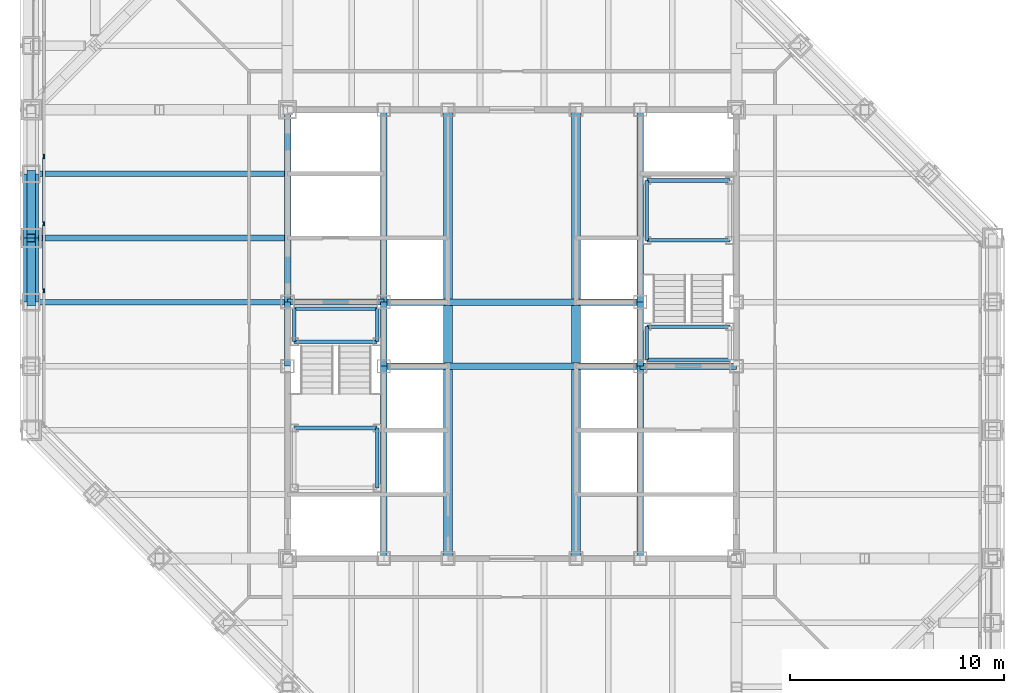
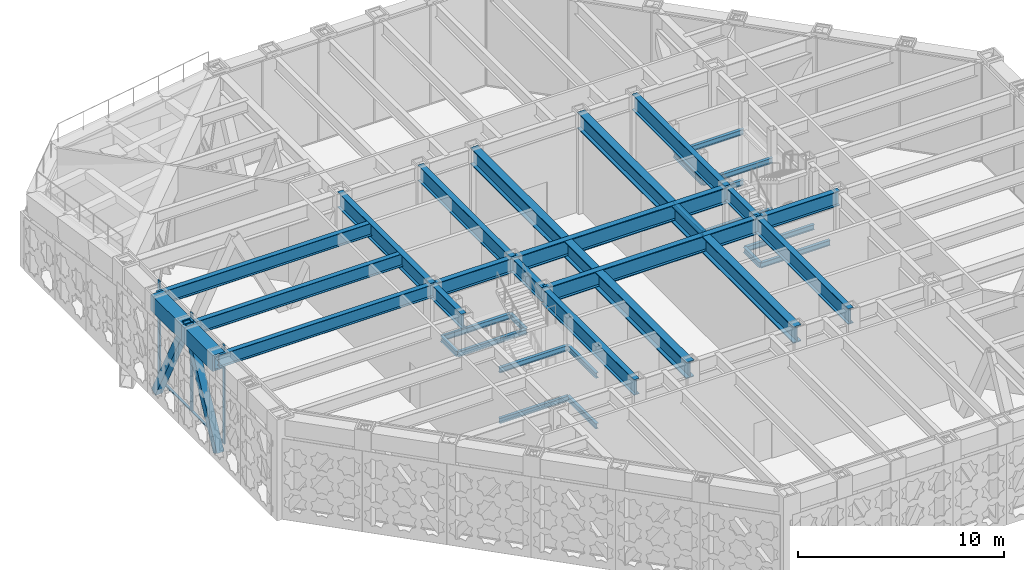
# One storey, part 5 of 28: 40 beams, 7 members, 1 element without a shape of its own.
"""IFC4 building model written with IfcOpenShell, lengths in metres."""

import ifcopenshell
import ifcopenshell.guid

model = None  # the IFC model being written
_history = None  # IfcOwnerHistory: only IFC2X3 demands one
_inside = {}  # id of a spatial element -> (the spatial element, [elements in it])
_under = {}  # id of a project, library or spatial element -> (it, [spatial elements below it])
_declared = {}  # id of a project -> (the project, [libraries it declares])
_typed = {}  # id of a type object -> (the type object, [elements of that type])
_made_of = {}  # id of a material, layer set ... -> (it, [elements and type objects made of it])


def new_model(schema):
    """Start an empty IFC model of exactly this schema.

    Asked for "IFC4X3", IfcOpenShell would pick the latest addendum, in which some entities
    have other attributes; the version numbers below select the first issue.
    IFC2X3 requires an IfcOwnerHistory on every rooted entity: one is made here for all.
    """
    global model, _history
    if schema == "IFC4X3":
        model = ifcopenshell.file(schema_version=(4, 3, 0, 0))
    else:
        model = ifcopenshell.file(schema=schema)
    _inside.clear()
    _under.clear()
    _declared.clear()
    _typed.clear()
    _made_of.clear()
    _history = None
    if model.schema == "IFC2X3":
        org = make("IfcOrganization", Name="unknown")
        user = make(
            "IfcPersonAndOrganization",
            ThePerson=make("IfcPerson", FamilyName="unknown"),
            TheOrganization=org,
        )
        app = make(
            "IfcApplication",
            ApplicationDeveloper=org,
            Version="unknown",
            ApplicationFullName="unknown",
            ApplicationIdentifier="unknown",
        )
        _history = make(
            "IfcOwnerHistory",
            OwningUser=user,
            OwningApplication=app,
            ChangeAction="ADDED",
            CreationDate=0,
        )
    return model


def make(cls, **values):
    """One entity of the class cls with the attributes given. An attribute that is None is left unset."""
    return model.create_entity(
        cls, **{name: value for name, value in values.items() if value is not None}
    )


def rooted(cls, **values):
    """An entity with a GlobalId (a new one), such as an element, a storey or a relation."""
    return make(cls, GlobalId=ifcopenshell.guid.new(), OwnerHistory=_history, **values)


def si_unit(unit_type, name, prefix=None):
    """IfcSIUnit, for example si_unit("LENGTHUNIT", "METRE", prefix="MILLI")."""
    return make("IfcSIUnit", UnitType=unit_type, Prefix=prefix, Name=name)


def assignment(units):
    """IfcUnitAssignment: the units of a project."""
    return None if units is None else make("IfcUnitAssignment", Units=units)


def point(xyz):
    """IfcCartesianPoint."""
    return None if xyz is None else make("IfcCartesianPoint", Coordinates=xyz)


def direction(xyz):
    """IfcDirection."""
    return None if xyz is None else make("IfcDirection", DirectionRatios=xyz)


def frame(location, z_axis=None, x_axis=None):
    """IfcAxis2Placement3D, a coordinate frame: its origin and axes. An axis left out is left unset."""
    return make(
        "IfcAxis2Placement3D",
        Location=point(location),
        Axis=direction(z_axis),
        RefDirection=direction(x_axis),
    )


def frame_2d(location, x_axis=None):
    """IfcAxis2Placement2D, a coordinate frame in the plane: its origin and x axis."""
    return make(
        "IfcAxis2Placement2D", Location=point(location), RefDirection=direction(x_axis)
    )


def origin():
    """The frame at (0, 0, 0) with its axes left unset."""
    return frame((0.0, 0.0, 0.0))


def origin_2d():
    """The frame at (0, 0) in the plane with its x axis left unset."""
    return frame_2d((0.0, 0.0))


def place(relative_to, where):
    """IfcLocalPlacement: puts the frame where relative to a parent placement (None: the world)."""
    return make(
        "IfcLocalPlacement", PlacementRelTo=relative_to, RelativePlacement=where
    )


def context(
    kind, dimensions, precision=None, world=None, true_north=None, identifier=None
):
    """IfcGeometricRepresentationContext, for example the 3D "Model" context."""
    return make(
        "IfcGeometricRepresentationContext",
        ContextIdentifier=identifier,
        ContextType=kind,
        CoordinateSpaceDimension=dimensions,
        Precision=precision,
        WorldCoordinateSystem=world,
        TrueNorth=true_north,
    )


def subcontext(parent, identifier, kind, view, scale=None):
    """IfcGeometricRepresentationSubContext, for example "Body" below "Model"."""
    return make(
        "IfcGeometricRepresentationSubContext",
        ContextIdentifier=identifier,
        ContextType=kind,
        ParentContext=parent,
        TargetScale=scale,
        TargetView=view,
    )


def project(units=None, contexts=None):
    """IfcProject with its units and contexts."""
    return rooted(
        "IfcProject",
        Name="project",
        RepresentationContexts=contexts,
        UnitsInContext=assignment(units),
    )


def spatial(cls, under=None, at=None, **own):
    """A site, building, storey or space (cls), placed at a placement, below another one or the project."""
    s = rooted(cls, ObjectPlacement=at, **own)
    if under is not None:
        _under.setdefault(under.id(), (under, []))[1].append(s)
    return s


def profile(cls, at=None, kind="AREA", **sizes):
    """A parametric profile (cls). Its sizes go by their IFC names, for example OverallWidth=200.0."""
    return make(cls, ProfileType=kind, Position=at, **sizes)


def rectangle(**sizes):
    """IfcRectangleProfileDef."""
    return profile("IfcRectangleProfileDef", **sizes)


def hollow_rectangle(**sizes):
    """IfcRectangleHollowProfileDef."""
    return profile("IfcRectangleHollowProfileDef", **sizes)


def i_section(**sizes):
    """IfcIShapeProfileDef."""
    return profile("IfcIShapeProfileDef", **sizes)


def extrude(swept, where, along, depth):
    """IfcExtrudedAreaSolid: the profile swept, set in the frame where, extruded along a direction by depth."""
    return make(
        "IfcExtrudedAreaSolid",
        SweptArea=swept,
        Position=where,
        ExtrudedDirection=direction(along),
        Depth=depth,
    )


def shape(context_of_items, identifier, shape_type, items):
    """IfcShapeRepresentation: the items that make up one representation, for example the "Body"."""
    return make(
        "IfcShapeRepresentation",
        ContextOfItems=context_of_items,
        RepresentationIdentifier=identifier,
        RepresentationType=shape_type,
        Items=items,
    )


def material(Name=None, Category=None):
    """IfcMaterial."""
    return make("IfcMaterial", Name=Name, Category=Category)


def layer(
    of_material, thickness, ventilated=None, Name=None, Category=None, Priority=None
):
    """IfcMaterialLayer: one layer of a wall or slab, of a material (None: an air gap)."""
    return make(
        "IfcMaterialLayer",
        Material=of_material,
        LayerThickness=thickness,
        IsVentilated=ventilated,
        Name=Name,
        Category=Category,
        Priority=Priority,
    )


def layer_set(layers, Name=None):
    """IfcMaterialLayerSet."""
    return make("IfcMaterialLayerSet", MaterialLayers=layers, LayerSetName=Name)


def material_profile(
    of_material, cross_section, Name=None, Category=None, Priority=None
):
    """IfcMaterialProfile: a cross section and its material."""
    return make(
        "IfcMaterialProfile",
        Name=Name,
        Material=of_material,
        Profile=cross_section,
        Priority=Priority,
        Category=Category,
    )


def profile_set(profiles, Name=None, composite=None):
    """IfcMaterialProfileSet."""
    return make(
        "IfcMaterialProfileSet",
        Name=Name,
        MaterialProfiles=profiles,
        CompositeProfile=composite,
    )


def made_of(thing, what):
    """Note that an element or type object is made of a material, layer set ...; save() writes the relation."""
    if what is not None:
        _made_of.setdefault(what.id(), (what, []))[1].append(thing)
    return thing


def type_object(cls, material=None, **own):
    """A type object (cls), such as IfcWallType, which elements share."""
    return made_of(rooted(cls, **own), material)


def element(
    cls,
    number,
    at=None,
    inside=None,
    cuts=None,
    type_object=None,
    material=None,
    context=None,
    identifier="Body",
    shape_type=None,
    held_by="IfcProductDefinitionShape",
    body=None,
    shapes=None,
    **own,
):
    """One element of the class cls, such as IfcWall. Its Tag is "e" and its number.

    at: its placement. inside: the storey or other place that contains it. cuts: it is an
    opening in that element (IfcRelVoidsElement). A single representation is given by context,
    identifier, shape_type and body (its items); several are given by shapes. held_by: the class
    of the entity that holds the representations. save() writes the other relations.
    """
    e = rooted(cls, Tag="e%d" % number, ObjectPlacement=at, **own)
    if body is not None:
        shapes = [shape(context, identifier, shape_type, body)]
    if shapes is not None:
        e.Representation = make(held_by, Representations=shapes)
    if inside is not None:
        _inside.setdefault(inside.id(), (inside, []))[1].append(e)
    if cuts is not None:
        rooted(
            "IfcRelVoidsElement", RelatingBuildingElement=cuts, RelatedOpeningElement=e
        )
    if type_object is not None:
        _typed.setdefault(type_object.id(), (type_object, []))[1].append(e)
    return made_of(e, material)


def aggregate(whole, parts):
    """IfcRelAggregates: a whole, such as a stair, and the parts it consists of."""
    return rooted("IfcRelAggregates", RelatingObject=whole, RelatedObjects=parts)


def save(model, path):
    """Write the relations noted so far, then the file.

    IfcRelAggregates (storeys below a building ...), IfcRelContainedInSpatialStructure (elements
    in a storey), IfcRelDefinesByType, IfcRelAssociatesMaterial and IfcRelDeclares: one each for
    every whole, place, type object, material and project.
    """
    for whole, parts in _under.values():
        aggregate(whole, parts)
    for where, things in _inside.values():
        rooted(
            "IfcRelContainedInSpatialStructure",
            RelatedElements=things,
            RelatingStructure=where,
        )
    for kind, things in _typed.values():
        rooted("IfcRelDefinesByType", RelatedObjects=things, RelatingType=kind)
    for what, things in _made_of.values():
        rooted("IfcRelAssociatesMaterial", RelatedObjects=things, RelatingMaterial=what)
    for by, libraries in _declared.values():
        rooted("IfcRelDeclares", RelatingContext=by, RelatedDefinitions=libraries)
    model.write(path)


model = new_model("IFC4")

# Units and contexts
model_context = context("Model", 3, precision=1e-05, world=origin(), true_north=direction((0.0, 1.0)))
body_context = subcontext(model_context, "Body", "Model", "MODEL_VIEW")
ifc_project = project(units=[si_unit("LENGTHUNIT", "METRE"), si_unit("AREAUNIT", "SQUARE_METRE"), si_unit("VOLUMEUNIT", "CUBIC_METRE"), si_unit("PLANEANGLEUNIT", "RADIAN"), si_unit("MASSUNIT", "GRAM", prefix="KILO")], contexts=[model_context])

# Site, building, storey
site_placement = place(None, origin())
site = spatial("IfcSite", under=ifc_project, at=site_placement, CompositionType="ELEMENT")
building_placement = place(site_placement, origin())
building = spatial("IfcBuilding", under=site, at=building_placement, Name="Chuquiago Exchange Tower", CompositionType="ELEMENT")
storey_placement = place(building_placement, frame((0.0, 0.0, 174.0)))
storey = spatial("IfcBuildingStorey", under=building, at=storey_placement, Name="L38", CompositionType="ELEMENT", Elevation=174.0)

# Beams
ifc_material_1 = material(Name="Steel ASTM A992", Category="steel")
ifc_material_profile_1 = material_profile(ifc_material_1, i_section(OverallWidth=0.307373046875, OverallDepth=0.927001953125, WebThickness=0.01953125, FlangeThickness=0.031982421875, at=origin_2d()), Name="W36X194")
ifc_profile_set_1 = profile_set([ifc_material_profile_1], Name="Steel ASTM A992")
beam_type_1 = type_object("IfcBeamType", Name="B10 W36X194", PredefinedType="BEAM", material=ifc_profile_set_1)
for number, where, z_axis, x_axis, name in (
    (1, (12.0, 24.0, 5.37646484375), (0.0, 1.0, 0.0), (-1.0, 0.0, 0.0), "CB-L39-12_24-12_33"),
    (2, (16.5, 12.0, 5.37646484375), (0.0, 1.0, 0.0), (-1.0, 0.0, 0.0), "CB-L39-16.5_12-16.5_21"),
    (3, (16.5, 24.0, 5.37646484375), (0.0, 1.0, 0.0), (-1.0, 0.0, 0.0), "CB-L39-16.5_24-16.5_33"),
    (4, (28.5, 12.0, 5.37646484375), (0.0, 1.0, 0.0), (-1.0, 0.0, 0.0), "CB-L39-28.5_12-28.5_21"),
    (5, (28.5, 24.0, 5.37646484375), (0.0, 1.0, 0.0), (-1.0, 0.0, 0.0), "CB-L39-28.5_24-28.5_33"),
):
    element("IfcBeam", number, at=place(storey_placement, frame(where, z_axis=z_axis, x_axis=x_axis)), inside=storey, type_object=beam_type_1, Name=name, PredefinedType="BEAM", context=body_context, shape_type="SweptSolid", body=[
        extrude(i_section(OverallWidth=0.307373046875, OverallDepth=0.927001953125, WebThickness=0.01953125, FlangeThickness=0.031982421875, at=origin_2d()), origin(), (0.0, 0.0, 1.0), 9.0),
    ])
ifc_material_2 = material(Name="Steel ASTM A992", Category="steel")
ifc_material_profile_2 = material_profile(ifc_material_2, i_section(OverallWidth=0.309814453125, OverallDepth=0.949951171875, WebThickness=0.0244140625, FlangeThickness=0.0439453125, at=origin_2d()), Name="W36X256")
ifc_profile_set_2 = profile_set([ifc_material_profile_2], Name="Steel ASTM A992")
beam_type_2 = type_object("IfcBeamType", Name="B11 W36X256", PredefinedType="BEAM", material=ifc_profile_set_2)
for number, where, z_axis, x_axis, name in (
    (6, (16.5, 21.0, 5.364990234375), (1.0, 0.0, 0.0), (0.0, 1.0, 0.0), "CB-L39-16.5_21-28.5_21"),
    (7, (16.5, 24.0, 5.364990234375), (1.0, 0.0, 0.0), (0.0, 1.0, 0.0), "CB-L39-16.5_24-28.5_24"),
):
    element("IfcBeam", number, at=place(storey_placement, frame(where, z_axis=z_axis, x_axis=x_axis)), inside=storey, type_object=beam_type_2, Name=name, PredefinedType="BEAM", context=body_context, shape_type="SweptSolid", body=[
        extrude(i_section(OverallWidth=0.309814453125, OverallDepth=0.949951171875, WebThickness=0.0244140625, FlangeThickness=0.0439453125, at=origin_2d()), origin(), (0.0, 0.0, 1.0), 12.0),
    ])
ifc_material_3 = material(Name="Steel ASTM A992", Category="steel")
ifc_material_profile_3 = material_profile(ifc_material_3, i_section(OverallWidth=0.4267578125, OverallDepth=0.975341796875, WebThickness=0.031005859375, FlangeThickness=0.055908203125, at=origin_2d()), Name="W36X395")
ifc_profile_set_3 = profile_set([ifc_material_profile_3], Name="Steel ASTM A992")
beam_type_3 = type_object("IfcBeamType", Name="B12 W36X395", PredefinedType="BEAM", material=ifc_profile_set_3)
beam_1_placement = place(storey_placement, frame((19.5, 12.0, 5.352294921875), z_axis=(0.0, 1.0, 0.0), x_axis=(-1.0, 0.0, 0.0)))
element("IfcBeam", 8, at=beam_1_placement, inside=storey, type_object=beam_type_3, Name="CB-L39-19.5_12-19.5_20.8451", PredefinedType="BEAM", context=body_context, shape_type="SweptSolid", body=[
    extrude(i_section(OverallWidth=0.4267578125, OverallDepth=0.975341796875, WebThickness=0.031005859375, FlangeThickness=0.055908203125, at=origin_2d()), origin(), (0.0, 0.0, 1.0), 8.84521484375),
])
beam_2_placement = place(storey_placement, frame((19.5, 21.15478515625, 5.352294921875), z_axis=(0.0, 1.0, 0.0), x_axis=(-1.0, 0.0, 0.0)))
element("IfcBeam", 9, at=beam_2_placement, inside=storey, type_object=beam_type_3, Name="CB-L39-19.5_21.1549-19.5_23.8451", PredefinedType="BEAM", context=body_context, shape_type="SweptSolid", body=[
    extrude(i_section(OverallWidth=0.4267578125, OverallDepth=0.975341796875, WebThickness=0.031005859375, FlangeThickness=0.055908203125, at=origin_2d()), origin(), (0.0, 0.0, 1.0), 2.6904296875),
])
for number, where, z_axis, x_axis, name in (
    (10, (19.5, 24.15478515625, 5.352294921875), (0.0, 1.0, 0.0), (-1.0, 0.0, 0.0), "CB-L39-19.5_24.1549-19.5_33"),
    (11, (25.5, 12.0, 5.352294921875), (0.0, 1.0, 0.0), (-1.0, 0.0, 0.0), "CB-L39-25.5_12-25.5_20.8451"),
):
    element("IfcBeam", number, at=place(storey_placement, frame(where, z_axis=z_axis, x_axis=x_axis)), inside=storey, type_object=beam_type_3, Name=name, PredefinedType="BEAM", context=body_context, shape_type="SweptSolid", body=[
        extrude(i_section(OverallWidth=0.4267578125, OverallDepth=0.975341796875, WebThickness=0.031005859375, FlangeThickness=0.055908203125, at=origin_2d()), origin(), (0.0, 0.0, 1.0), 8.84521484375),
    ])
beam_3_placement = place(storey_placement, frame((25.5, 21.15478515625, 5.352294921875), z_axis=(0.0, 1.0, 0.0), x_axis=(-1.0, 0.0, 0.0)))
element("IfcBeam", 12, at=beam_3_placement, inside=storey, type_object=beam_type_3, Name="CB-L39-25.5_21.1549-25.5_23.8451", PredefinedType="BEAM", context=body_context, shape_type="SweptSolid", body=[
    extrude(i_section(OverallWidth=0.4267578125, OverallDepth=0.975341796875, WebThickness=0.031005859375, FlangeThickness=0.055908203125, at=origin_2d()), origin(), (0.0, 0.0, 1.0), 2.6904296875),
])
beam_4_placement = place(storey_placement, frame((25.5, 24.15478515625, 5.352294921875), z_axis=(0.0, 1.0, 0.0), x_axis=(-1.0, 0.0, 0.0)))
element("IfcBeam", 13, at=beam_4_placement, inside=storey, type_object=beam_type_3, Name="CB-L39-25.5_24.1549-25.5_33", PredefinedType="BEAM", context=body_context, shape_type="SweptSolid", body=[
    extrude(i_section(OverallWidth=0.4267578125, OverallDepth=0.975341796875, WebThickness=0.031005859375, FlangeThickness=0.055908203125, at=origin_2d()), origin(), (0.0, 0.0, 1.0), 8.84521484375),
])
ifc_material_4 = material(Name="Steel ASTM A992", Category="steel")
ifc_material_profile_4 = material_profile(ifc_material_4, i_section(OverallWidth=0.2919921875, OverallDepth=0.8583984375, WebThickness=0.01708984375, FlangeThickness=0.031005859375, at=origin_2d()), Name="W33X169")
ifc_profile_set_4 = profile_set([ifc_material_profile_4], Name="Steel ASTM A992")
beam_type_4 = type_object("IfcBeamType", Name="B3 W33X169", PredefinedType="BEAM", material=ifc_profile_set_4)
for number, where, z_axis, x_axis, name in (
    (14, (12.0, 21.0, 5.41064453125), (0.0, 1.0, 0.0), (-1.0, 0.0, 0.0), "CB-L39-12_21-12_24"),
    (15, (16.5, 21.0, 5.41064453125), (0.0, 1.0, 0.0), (-1.0, 0.0, 0.0), "CB-L39-16.5_21-16.5_24"),
    (16, (28.5, 21.0, 5.41064453125), (0.0, 1.0, 0.0), (-1.0, 0.0, 0.0), "CB-L39-28.5_21-28.5_24"),
):
    element("IfcBeam", number, at=place(storey_placement, frame(where, z_axis=z_axis, x_axis=x_axis)), inside=storey, type_object=beam_type_4, Name=name, PredefinedType="BEAM", context=body_context, shape_type="SweptSolid", body=[
        extrude(i_section(OverallWidth=0.2919921875, OverallDepth=0.8583984375, WebThickness=0.01708984375, FlangeThickness=0.031005859375, at=origin_2d()), origin(), (0.0, 0.0, 1.0), 3.0),
    ])
for number, where, z_axis, x_axis, name in (
    (17, (28.5, 21.0, 5.41064453125), (1.0, 0.0, 0.0), (0.0, 1.0, 0.0), "CB-L39-28.5_21-33_21"),
    (18, (12.0, 24.0, 5.41064453125), (1.0, 0.0, 0.0), (0.0, 1.0, 0.0), "CB-L39-12_24-16.5_24"),
):
    element("IfcBeam", number, at=place(storey_placement, frame(where, z_axis=z_axis, x_axis=x_axis)), inside=storey, type_object=beam_type_4, Name=name, PredefinedType="BEAM", context=body_context, shape_type="SweptSolid", body=[
        extrude(i_section(OverallWidth=0.2919921875, OverallDepth=0.8583984375, WebThickness=0.01708984375, FlangeThickness=0.031005859375, at=origin_2d()), origin(), (0.0, 0.0, 1.0), 4.5),
    ])
ifc_material_5 = material(Name="Steel ASTM A992", Category="steel")
ifc_material_profile_5 = material_profile(ifc_material_5, i_section(OverallWidth=0.2666015625, OverallDepth=0.761962890625, WebThickness=0.014404296875, FlangeThickness=0.021484375, at=origin_2d()), Name="W30X116")
ifc_profile_set_5 = profile_set([ifc_material_profile_5], Name="Steel ASTM A992")
beam_type_5 = type_object("IfcBeamType", Name="B8 W30X116", PredefinedType="BEAM", material=ifc_profile_set_5)
for number, where, z_axis, x_axis, name in (
    (19, (12.0, 24.0, 5.458984375), (-1.0, 0.0, 0.0), (0.0, -1.0, 0.0), "FB-L39-infill-12_24--0_24-0"),
    (20, (12.0, 27.0, 5.458984375), (-1.0, 0.0, 0.0), (0.0, -1.0, 0.0), "FB-L39-infill-12_27--0_27-0"),
    (21, (12.0, 30.0, 5.458984375), (-1.0, 0.0, 0.0), (0.0, -1.0, 0.0), "FB-L39-infill-12_30--0_30-0"),
):
    element("IfcBeam", number, at=place(storey_placement, frame(where, z_axis=z_axis, x_axis=x_axis)), inside=storey, type_object=beam_type_5, Name=name, PredefinedType="BEAM", context=body_context, shape_type="SweptSolid", body=[
        extrude(i_section(OverallWidth=0.2666015625, OverallDepth=0.761962890625, WebThickness=0.014404296875, FlangeThickness=0.021484375, at=origin_2d()), origin(), (0.0, 0.0, 1.0), 12.0),
    ])

# Members
ifc_material_6 = material(Name="Steel ASTM A500 Grade C", Category="steel")
ifc_material_profile_6 = material_profile(ifc_material_6, hollow_rectangle(XDim=0.406494140625, YDim=0.406494140625, WallThickness=0.0146484375, at=origin_2d()), Name="HSS16X16X5/8")
ifc_profile_set_6 = profile_set([ifc_material_profile_6], Name="Steel ASTM A500 Grade C")
member_type_1 = type_object("IfcMemberType", Name="BT1 HSS16X16X5/8", PredefinedType="BRACE", material=ifc_profile_set_6)
for number, where, z_axis, x_axis, name in (
    (22, (0.0, 30.0, 0.0), (0.0, -0.456929540486, 0.889502892087), (1.0, 0.0, 0.0), "Belt truss L38 diagonal"),
    (23, (0.0, 24.0, 0.0), (0.0, 0.456929540486, 0.889502892087), (-1.0, 0.0, 0.0), "Belt truss L38 diagonal"),
):
    element("IfcMember", number, at=place(storey_placement, frame(where, z_axis=z_axis, x_axis=x_axis)), inside=storey, type_object=member_type_1, Name=name, PredefinedType="BRACE", context=body_context, shape_type="SweptSolid", body=[
        extrude(hollow_rectangle(XDim=0.406494140625, YDim=0.406494140625, WallThickness=0.0146484375, at=origin_2d()), origin(), (0.0, 0.0, 1.0), 6.565673828125),
    ])

# Curtain wall, members
ifc_material_7 = material(Name="Aluminium curtain wall system", Category="aluminium")
ifc_layer = layer(ifc_material_7, 0.199951171875)
ifc_layer_set = layer_set([ifc_layer], Name="CW6 plant floor louvre wall")
curtain_wall_type = type_object("IfcCurtainWallType", Name="CW6 plant floor louvre wall", PredefinedType="NOTDEFINED", material=ifc_layer_set)
curtain_wall_placement = place(storey_placement, origin())
curtain_wall = element("IfcCurtainWall", 24, at=curtain_wall_placement, inside=storey, type_object=curtain_wall_type, Name="CW6 curtain wall L38", PredefinedType="NOTDEFINED")
ifc_material_8 = material(Name="Aluminium mullion, pale anodised", Category="aluminium")
ifc_material_profile_7 = material_profile(ifc_material_8, rectangle(XDim=0.074951171875, YDim=0.199951171875, at=origin_2d()), Name="AL 75x200")
ifc_profile_set_7 = profile_set([ifc_material_profile_7], Name="Aluminium mullion, pale anodised")
member_type_2 = type_object("IfcMemberType", Name="CW6-M mullion 75x200", PredefinedType="MULLION", material=ifc_profile_set_7)
member_1_placement = place(storey_placement, frame((0.60009765625, 30.8125, 0.0), z_axis=(0.0, 0.0, 1.0), x_axis=(1.0, 0.0, 0.0)))
member_1 = element("IfcMember", 25, at=member_1_placement, type_object=member_type_2, Name="CW6 mullion 2", PredefinedType="MULLION", context=body_context, shape_type="SweptSolid", body=[
    extrude(rectangle(XDim=0.074951171875, YDim=0.199951171875, at=origin_2d()), origin(), (0.0, 0.0, 1.0), 5.840087890625),
])
member_2_placement = place(storey_placement, frame((0.60009765625, 27.671630859375, 0.0), z_axis=(0.0, 0.0, 1.0), x_axis=(1.0, 0.0, 0.0)))
member_2 = element("IfcMember", 26, at=member_2_placement, type_object=member_type_2, Name="CW6 mullion 3", PredefinedType="MULLION", context=body_context, shape_type="SweptSolid", body=[
    extrude(rectangle(XDim=0.074951171875, YDim=0.199951171875, at=origin_2d()), origin(), (0.0, 0.0, 1.0), 5.840087890625),
])
member_3_placement = place(storey_placement, frame((0.60009765625, 24.530517578125, 0.0), z_axis=(0.0, 0.0, 1.0), x_axis=(1.0, 0.0, 0.0)))
member_3 = element("IfcMember", 27, at=member_3_placement, type_object=member_type_2, Name="CW6 mullion 4", PredefinedType="MULLION", context=body_context, shape_type="SweptSolid", body=[
    extrude(rectangle(XDim=0.074951171875, YDim=0.199951171875, at=origin_2d()), origin(), (0.0, 0.0, 1.0), 5.840087890625),
])
ifc_material_9 = material(Name="Aluminium transom, pale anodised", Category="aluminium")
ifc_material_profile_8 = material_profile(ifc_material_9, rectangle(XDim=0.1201171875, YDim=0.074951171875, at=origin_2d()), Name="AL 120x75")
ifc_profile_set_8 = profile_set([ifc_material_profile_8], Name="Aluminium transom, pale anodised")
member_type_3 = type_object("IfcMemberType", Name="CW6-T transom 75x120", PredefinedType="MULLION", material=ifc_profile_set_8)
member_4_placement = place(storey_placement, frame((0.60009765625, 30.775146484375, 0.03759765625), z_axis=(0.0, -1.0, 0.0), x_axis=(1.0, 0.0, 0.0)))
member_4 = element("IfcMember", 28, at=member_4_placement, type_object=member_type_3, Name="CW6 transom 2.1", PredefinedType="MULLION", context=body_context, shape_type="SweptSolid", body=[
    extrude(rectangle(XDim=0.1201171875, YDim=0.074951171875, at=origin_2d()), origin(), (0.0, 0.0, 1.0), 3.066162109375),
])
member_5_placement = place(storey_placement, frame((0.60009765625, 27.634033203125, 0.03759765625), z_axis=(0.0, -1.0, 0.0), x_axis=(1.0, 0.0, 0.0)))
member_5 = element("IfcMember", 29, at=member_5_placement, type_object=member_type_3, Name="CW6 transom 3.1", PredefinedType="MULLION", context=body_context, shape_type="SweptSolid", body=[
    extrude(rectangle(XDim=0.1201171875, YDim=0.074951171875, at=origin_2d()), origin(), (0.0, 0.0, 1.0), 3.06591796875),
])
aggregate(curtain_wall, [member_1, member_2, member_3, member_4, member_5])

# Beams
ifc_material_10 = material(Name="Steel ASTM A992", Category="steel")
ifc_material_profile_9 = material_profile(ifc_material_10, i_section(OverallWidth=0.164794921875, OverallDepth=0.309814453125, WebThickness=0.005859375, FlangeThickness=0.009765625, at=origin_2d()), Name="W12X26")
ifc_profile_set_9 = profile_set([ifc_material_profile_9], Name="Steel ASTM A992")
beam_type_6 = type_object("IfcBeamType", Name="LS1 W12X26", PredefinedType="BEAM", material=ifc_profile_set_9)
beam_5_placement = place(storey_placement, frame((16.18994140625, 15.31005859375, 1.14501953125), z_axis=(0.0, 1.0, 0.0), x_axis=(-1.0, 0.0, 0.0)))
element("IfcBeam", 30, at=beam_5_placement, inside=storey, type_object=beam_type_6, Name="Stair ST1 L38 landing 1 stringer", PredefinedType="BEAM", context=body_context, shape_type="SweptSolid", body=[
    extrude(i_section(OverallWidth=0.164794921875, OverallDepth=0.309814453125, WebThickness=0.005859375, FlangeThickness=0.009765625, at=origin_2d()), origin(), (0.0, 0.0, 1.0), 2.800048828125),
])
for number, where, z_axis, x_axis, name in (
    (31, (12.31005859375, 22.14990234375, 2.64501953125), (0.0, 1.0, 0.0), (-1.0, 0.0, 0.0), "Stair ST1 L38 landing 2 stringer"),
    (32, (16.18994140625, 22.14990234375, 2.64501953125), (0.0, 1.0, 0.0), (-1.0, 0.0, 0.0), "Stair ST1 L38 landing 2 stringer"),
):
    element("IfcBeam", number, at=place(storey_placement, frame(where, z_axis=z_axis, x_axis=x_axis)), inside=storey, type_object=beam_type_6, Name=name, PredefinedType="BEAM", context=body_context, shape_type="SweptSolid", body=[
        extrude(i_section(OverallWidth=0.164794921875, OverallDepth=0.309814453125, WebThickness=0.005859375, FlangeThickness=0.009765625, at=origin_2d()), origin(), (0.0, 0.0, 1.0), 1.5400390625),
    ])
for number, where, z_axis, x_axis, name in (
    (33, (16.18994140625, 15.31005859375, 4.14501953125), (0.0, 1.0, 0.0), (-1.0, 0.0, 0.0), "Stair ST1 L38 landing 3 stringer"),
    (34, (28.81005859375, 26.889892578125, 1.14501953125), (0.0, 1.0, 0.0), (-1.0, 0.0, 0.0), "Stair ST2 L38 landing 1 stringer"),
):
    element("IfcBeam", number, at=place(storey_placement, frame(where, z_axis=z_axis, x_axis=x_axis)), inside=storey, type_object=beam_type_6, Name=name, PredefinedType="BEAM", context=body_context, shape_type="SweptSolid", body=[
        extrude(i_section(OverallWidth=0.164794921875, OverallDepth=0.309814453125, WebThickness=0.005859375, FlangeThickness=0.009765625, at=origin_2d()), origin(), (0.0, 0.0, 1.0), 2.800048828125),
    ])
beam_6_placement = place(storey_placement, frame((28.81005859375, 21.31005859375, 2.64501953125), z_axis=(0.0, 1.0, 0.0), x_axis=(-1.0, 0.0, 0.0)))
element("IfcBeam", 35, at=beam_6_placement, inside=storey, type_object=beam_type_6, Name="Stair ST2 L38 landing 2 stringer", PredefinedType="BEAM", context=body_context, shape_type="SweptSolid", body=[
    extrude(i_section(OverallWidth=0.164794921875, OverallDepth=0.309814453125, WebThickness=0.005859375, FlangeThickness=0.009765625, at=origin_2d()), origin(), (0.0, 0.0, 1.0), 1.5400390625),
])
beam_7_placement = place(storey_placement, frame((28.81005859375, 26.889892578125, 4.14501953125), z_axis=(0.0, 1.0, 0.0), x_axis=(-1.0, 0.0, 0.0)))
element("IfcBeam", 36, at=beam_7_placement, inside=storey, type_object=beam_type_6, Name="Stair ST2 L38 landing 3 stringer", PredefinedType="BEAM", context=body_context, shape_type="SweptSolid", body=[
    extrude(i_section(OverallWidth=0.164794921875, OverallDepth=0.309814453125, WebThickness=0.005859375, FlangeThickness=0.009765625, at=origin_2d()), origin(), (0.0, 0.0, 1.0), 2.800048828125),
])
ifc_material_11 = material(Name="Steel ASTM A992", Category="steel")
ifc_material_profile_10 = material_profile(ifc_material_11, i_section(OverallWidth=0.164794921875, OverallDepth=0.309814453125, WebThickness=0.005859375, FlangeThickness=0.009765625, at=origin_2d()), Name="W12X26")
ifc_profile_set_10 = profile_set([ifc_material_profile_10], Name="Steel ASTM A992")
beam_type_7 = type_object("IfcBeamType", Name="LT1 W12X26", PredefinedType="BEAM", material=ifc_profile_set_10)
for number, where, z_axis, x_axis, name in (
    (37, (12.31005859375, 18.110107421875, 1.14501953125), (1.0, 0.0, 0.0), (0.0, 1.0, 0.0), "Stair ST1 L38 landing 1 trimmer"),
    (38, (12.31005859375, 22.14990234375, 2.64501953125), (1.0, 0.0, 0.0), (0.0, 1.0, 0.0), "Stair ST1 L38 landing 2 trimmer"),
):
    element("IfcBeam", number, at=place(storey_placement, frame(where, z_axis=z_axis, x_axis=x_axis)), inside=storey, type_object=beam_type_7, Name=name, PredefinedType="BEAM", context=body_context, shape_type="SweptSolid", body=[
        extrude(i_section(OverallWidth=0.164794921875, OverallDepth=0.309814453125, WebThickness=0.005859375, FlangeThickness=0.009765625, at=origin_2d()), origin(), (0.0, 0.0, 1.0), 3.8798828125),
    ])
beam_8_placement = place(storey_placement, frame((12.304931640625, 23.68994140625, 2.64501953125), z_axis=(1.0, 0.0, 0.0), x_axis=(0.0, 1.0, 0.0)))
element("IfcBeam", 39, at=beam_8_placement, inside=storey, type_object=beam_type_7, Name="Stair ST1 L38 landing 2 trimmer", PredefinedType="BEAM", context=body_context, shape_type="SweptSolid", body=[
    extrude(i_section(OverallWidth=0.164794921875, OverallDepth=0.309814453125, WebThickness=0.005859375, FlangeThickness=0.009765625, at=origin_2d()), origin(), (0.0, 0.0, 1.0), 3.89013671875),
])
for number, where, z_axis, x_axis, name in (
    (40, (12.31005859375, 18.110107421875, 4.14501953125), (1.0, 0.0, 0.0), (0.0, 1.0, 0.0), "Stair ST1 L38 landing 3 trimmer"),
    (41, (28.81005859375, 29.68994140625, 1.14501953125), (1.0, 0.0, 0.0), (0.0, 1.0, 0.0), "Stair ST2 L38 landing 1 trimmer"),
    (42, (28.81005859375, 26.889892578125, 1.14501953125), (1.0, 0.0, 0.0), (0.0, 1.0, 0.0), "Stair ST2 L38 landing 1 trimmer"),
    (43, (28.81005859375, 22.85009765625, 2.64501953125), (1.0, 0.0, 0.0), (0.0, 1.0, 0.0), "Stair ST2 L38 landing 2 trimmer"),
):
    element("IfcBeam", number, at=place(storey_placement, frame(where, z_axis=z_axis, x_axis=x_axis)), inside=storey, type_object=beam_type_7, Name=name, PredefinedType="BEAM", context=body_context, shape_type="SweptSolid", body=[
        extrude(i_section(OverallWidth=0.164794921875, OverallDepth=0.309814453125, WebThickness=0.005859375, FlangeThickness=0.009765625, at=origin_2d()), origin(), (0.0, 0.0, 1.0), 3.8798828125),
    ])
beam_9_placement = place(storey_placement, frame((28.804931640625, 21.31005859375, 2.64501953125), z_axis=(1.0, 0.0, 0.0), x_axis=(0.0, 1.0, 0.0)))
element("IfcBeam", 44, at=beam_9_placement, inside=storey, type_object=beam_type_7, Name="Stair ST2 L38 landing 2 trimmer", PredefinedType="BEAM", context=body_context, shape_type="SweptSolid", body=[
    extrude(i_section(OverallWidth=0.164794921875, OverallDepth=0.309814453125, WebThickness=0.005859375, FlangeThickness=0.009765625, at=origin_2d()), origin(), (0.0, 0.0, 1.0), 3.89013671875),
])
for number, where, z_axis, x_axis, name in (
    (45, (28.81005859375, 29.68994140625, 4.14501953125), (1.0, 0.0, 0.0), (0.0, 1.0, 0.0), "Stair ST2 L38 landing 3 trimmer"),
    (46, (28.81005859375, 26.889892578125, 4.14501953125), (1.0, 0.0, 0.0), (0.0, 1.0, 0.0), "Stair ST2 L38 landing 3 trimmer"),
):
    element("IfcBeam", number, at=place(storey_placement, frame(where, z_axis=z_axis, x_axis=x_axis)), inside=storey, type_object=beam_type_7, Name=name, PredefinedType="BEAM", context=body_context, shape_type="SweptSolid", body=[
        extrude(i_section(OverallWidth=0.164794921875, OverallDepth=0.309814453125, WebThickness=0.005859375, FlangeThickness=0.009765625, at=origin_2d()), origin(), (0.0, 0.0, 1.0), 3.8798828125),
    ])
ifc_material_12 = material(Name="Steel ASTM A572 Grade 50", Category="steel")
ifc_material_profile_11 = material_profile(ifc_material_12, hollow_rectangle(XDim=0.699951171875, YDim=0.949951171875, WallThickness=0.10009765625, at=origin_2d()), Name="BOX950X700X100")
ifc_profile_set_11 = profile_set([ifc_material_profile_11], Name="Steel ASTM A572 Grade 50")
beam_type_8 = type_object("IfcBeamType", Name="SP5 BOX950X700X100", PredefinedType="SPANDREL", material=ifc_profile_set_11)
for number, where, z_axis, x_axis, name in (
    (47, (0.0, 30.0, 5.364990234375), (0.0, -1.0, 0.0), (1.0, 0.0, 0.0), "SPB-L39-0_30-0_27"),
    (48, (0.0, 27.0, 5.364990234375), (0.0, -1.0, 0.0), (1.0, 0.0, 0.0), "SPB-L39-0_27-0_24"),
):
    element("IfcBeam", number, at=place(storey_placement, frame(where, z_axis=z_axis, x_axis=x_axis)), inside=storey, type_object=beam_type_8, Name=name, PredefinedType="SPANDREL", context=body_context, shape_type="SweptSolid", body=[
        extrude(hollow_rectangle(XDim=0.699951171875, YDim=0.949951171875, WallThickness=0.10009765625, at=origin_2d()), origin(), (0.0, 0.0, 1.0), 3.0),
    ])

save(model, "model.ifc")
